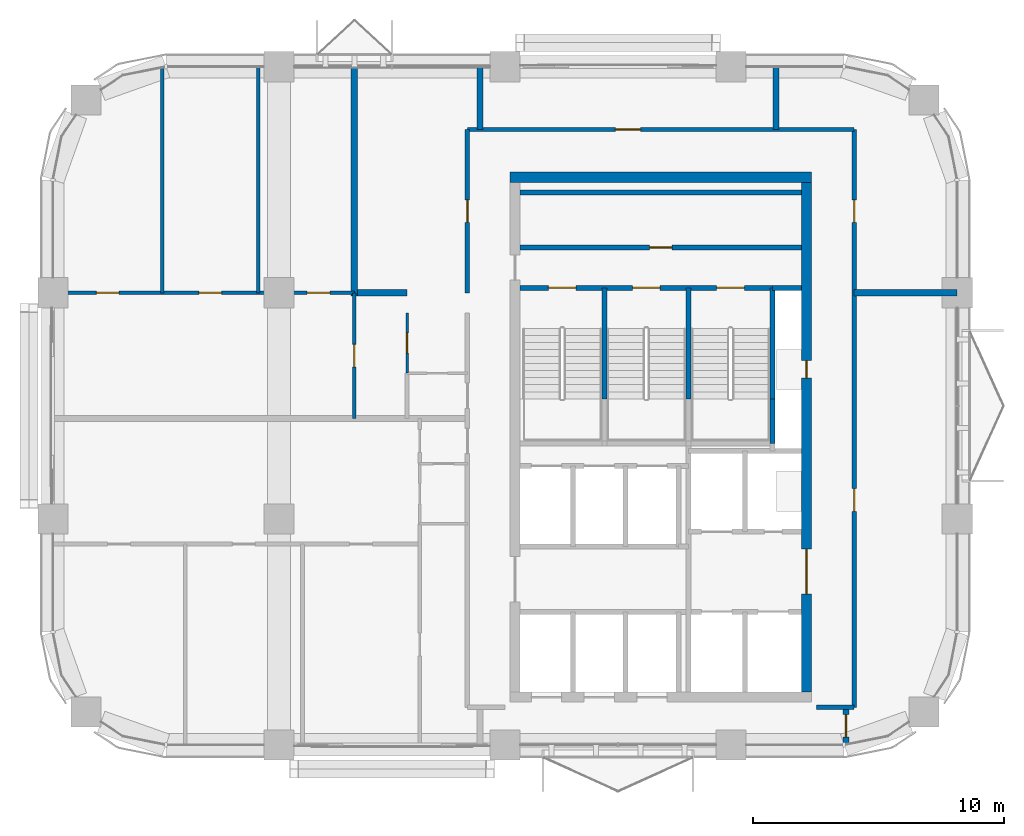
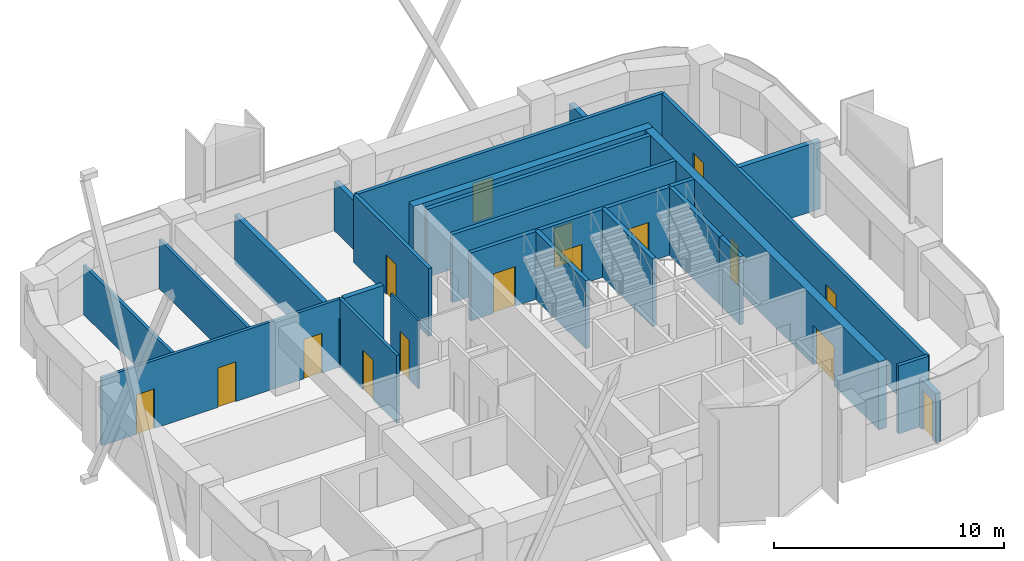
# One storey, part 9 of 11: 25 walls, 16 doors, 16 openings.
"""IFC4 building model written with IfcOpenShell, lengths in metres."""

from ifc_helpers import new_model, si_unit, direction, frame, frame_2d, origin, place, context, subcontext, project, spatial, rectangle, extrude, material, layer, layer_set, type_object, element, fill, save


model = new_model("IFC4")

# Units and contexts
model_context = context("Model", 3, precision=1e-05, world=origin(), true_north=direction((0.0, 1.0)))
body_context = subcontext(model_context, "Body", "Model", "MODEL_VIEW")
ifc_project = project(units=[si_unit("LENGTHUNIT", "METRE"), si_unit("AREAUNIT", "SQUARE_METRE"), si_unit("VOLUMEUNIT", "CUBIC_METRE"), si_unit("PLANEANGLEUNIT", "RADIAN"), si_unit("MASSUNIT", "GRAM", prefix="KILO")], contexts=[model_context])

# Site, building, storey
site_placement = place(None, origin())
site = spatial("IfcSite", under=ifc_project, at=site_placement, CompositionType="ELEMENT")
building_placement = place(site_placement, origin())
building = spatial("IfcBuilding", under=site, at=building_placement, Name="Tessera Arch", CompositionType="ELEMENT")
storey_placement = place(building_placement, frame((0.0, 0.0, 250.10009765625)))
storey = spatial("IfcBuildingStorey", under=building, at=storey_placement, Name="L60", CompositionType="ELEMENT", Elevation=250.10009765625)

# Wall, opening, door
ifc_material_1 = material(Name="Gypsum board on steel stud", Category="steel")
ifc_layer_1 = layer(ifc_material_1, 0.125)
ifc_layer_set_1 = layer_set([ifc_layer_1], Name="Core partition 125 EI 60")
wall_type_1 = type_object("IfcWallType", Name="Core partition 125 EI 60", PredefinedType="PARTITIONING", material=ifc_layer_set_1)
wall_1_placement = place(storey_placement, frame((36.60009765625, 46.800048828125, 0.0), z_axis=(0.0, 0.0, 1.0), x_axis=(1.0, 0.0, 0.0)))
wall_1 = element("IfcWall", 1, at=wall_1_placement, inside=storey, type_object=wall_type_1, Name="L60 C1 partition wall 30", PredefinedType="PARTITIONING", context=body_context, shape_type="SweptSolid", body=[
    extrude(rectangle(XDim=11.199951171875, YDim=0.199951171875, at=frame_2d((5.60009765625, 0.0))), origin(), (0.0, 0.0, 1.0), 3.599853515625),
])
opening_1_placement = place(wall_1_placement, frame((5.14990234375, 0.0, 0.0)))
opening_1 = element("IfcOpeningElement", 2, at=opening_1_placement, cuts=wall_1, Name="Opening L60-C18", PredefinedType="OPENING", context=body_context, shape_type="SweptSolid", body=[
    extrude(rectangle(XDim=0.89990234375, YDim=2.10009765625, at=frame_2d((0.449951171875, 1.050048828125))), frame((0.0, 0.10986328125, 0.0), z_axis=(0.0, -1.0, 0.0), x_axis=(1.0, 0.0, 0.0)), (0.0, 0.0, 1.0), 0.219970703125),
])
ifc_material_2 = material(Name="Steel door leaf", Category="steel")
door_type_1 = type_object("IfcDoorType", Name="Store door FD30S 900 x 2100", OperationType="SINGLE_SWING_LEFT", PredefinedType="DOOR", material=ifc_material_2)
door_1_placement = place(opening_1_placement, origin())
door_1 = element("IfcDoor", 3, at=door_1_placement, inside=storey, type_object=door_type_1, Name="L60 C1 door 18 C18 type D09", OperationType="SINGLE_SWING_RIGHT", OverallHeight=2.10009765625, OverallWidth=0.89990234375, PredefinedType="DOOR", context=body_context, shape_type="SweptSolid", body=[
    extrude(rectangle(XDim=0.89990234375, YDim=2.10009765625, at=frame_2d((0.449951171875, 1.050048828125))), frame((0.0, 0.02490234375, 0.0), z_axis=(0.0, -1.0, 0.0), x_axis=(1.0, 0.0, 0.0)), (0.0, 0.0, 1.0), 0.050048828125),
])
fill(opening_1, door_1)

# Walls
wall_2_placement = place(storey_placement, frame((36.60009765625, 49.0, 0.0), z_axis=(0.0, 0.0, 1.0), x_axis=(1.0, 0.0, 0.0)))
element("IfcWall", 4, at=wall_2_placement, inside=storey, type_object=wall_type_1, Name="L60 C1 partition wall 31", PredefinedType="PARTITIONING", context=body_context, shape_type="SweptSolid", body=[
    extrude(rectangle(XDim=11.199951171875, YDim=0.199951171875, at=frame_2d((5.60009765625, 0.0))), origin(), (0.0, 0.0, 1.0), 3.599853515625),
])
ifc_material_3 = material(Name="Concrete C50/60", Category="concrete")
ifc_layer_2 = layer(ifc_material_3, 0.39990234375)
ifc_layer_set_2 = layer_set([ifc_layer_2], Name="Core shell wall 400 C50-60")
wall_type_2 = type_object("IfcWallType", Name="Core shell wall 400 C50-60", PredefinedType="SHEAR", material=ifc_layer_set_2)
wall_3_placement = place(storey_placement, frame((36.199951171875, 49.60009765625, 0.0), z_axis=(0.0, 0.0, 1.0), x_axis=(1.0, 0.0, 0.0)))
element("IfcWall", 5, at=wall_3_placement, inside=storey, type_object=wall_type_2, Name="L60 C1 core wall N", PredefinedType="SHEAR", context=body_context, shape_type="SweptSolid", body=[
    extrude(rectangle(XDim=12.0, YDim=0.39990234375, at=frame_2d((6.0, 0.0))), origin(), (0.0, 0.0, 1.0), 3.599853515625),
])

# Wall, openings, doors
wall_4_placement = place(storey_placement, frame((48.0, 29.10009765625, 0.0), z_axis=(0.0, 0.0, 1.0), x_axis=(0.0, 1.0, 0.0)))
wall_4 = element("IfcWall", 6, at=wall_4_placement, inside=storey, type_object=wall_type_2, Name="L60 C1 core wall E", PredefinedType="SHEAR", context=body_context, shape_type="SweptSolid", body=[
    extrude(rectangle(XDim=20.2998046875, YDim=0.39990234375, at=frame_2d((10.14990234375, 0.0))), origin(), (0.0, 0.0, 1.0), 3.599853515625),
])
opening_2_placement = place(wall_4_placement, frame((12.5, 0.0, 0.0)))
opening_2 = element("IfcOpeningElement", 7, at=opening_2_placement, cuts=wall_4, Name="Opening L60-C14", PredefinedType="OPENING", context=body_context, shape_type="SweptSolid", body=[
    extrude(rectangle(XDim=0.699951171875, YDim=2.10009765625, at=frame_2d((0.35009765625, 1.050048828125))), frame((0.0, 0.2099609375, 0.0), z_axis=(0.0, -1.0, 0.0), x_axis=(1.0, 0.0, 0.0)), (0.0, 0.0, 1.0), 0.419921875),
])
opening_3_placement = place(wall_4_placement, frame((3.89990234375, 0.0, 0.0)))
opening_3 = element("IfcOpeningElement", 8, at=opening_3_placement, cuts=wall_4, Name="Opening L60-C15", PredefinedType="OPENING", context=body_context, shape_type="SweptSolid", body=[
    extrude(rectangle(XDim=1.800048828125, YDim=2.10009765625, at=frame_2d((0.89990234375, 1.050048828125))), frame((0.0, 0.2099609375, 0.0), z_axis=(0.0, -1.0, 0.0), x_axis=(1.0, 0.0, 0.0)), (0.0, 0.0, 1.0), 0.419921875),
])
ifc_material_4 = material(Name="Glazed steel door leaf", Category="steel")
door_type_2 = type_object("IfcDoorType", Name="Lobby double door FD60 1800 x 2100", OperationType="DOUBLE_DOOR_SINGLE_SWING", PredefinedType="DOOR", material=ifc_material_4)
door_2_placement = place(opening_3_placement, origin())
door_2 = element("IfcDoor", 9, at=door_2_placement, inside=storey, type_object=door_type_2, Name="L60 C1 door 15 C15 type D19", OperationType="DOUBLE_DOOR_SINGLE_SWING", OverallHeight=2.10009765625, OverallWidth=1.800048828125, PredefinedType="DOOR", context=body_context, shape_type="SweptSolid", body=[
    extrude(rectangle(XDim=1.800048828125, YDim=2.10009765625, at=frame_2d((0.89990234375, 1.050048828125))), frame((0.0, 0.02490234375, 0.0), z_axis=(0.0, -1.0, 0.0), x_axis=(1.0, 0.0, 0.0)), (0.0, 0.0, 1.0), 0.050048828125),
])
fill(opening_3, door_2)
ifc_material_5 = material(Name="Steel door leaf", Category="steel")
door_type_3 = type_object("IfcDoorType", Name="Service shaft door FD60 700 x 2100", OperationType="SINGLE_SWING_LEFT", PredefinedType="DOOR", material=ifc_material_5)
door_3_placement = place(opening_2_placement, origin())
door_3 = element("IfcDoor", 10, at=door_3_placement, inside=storey, type_object=door_type_3, Name="L60 C1 door 14 C14 type D07", OperationType="SINGLE_SWING_RIGHT", OverallHeight=2.10009765625, OverallWidth=0.699951171875, PredefinedType="DOOR", context=body_context, shape_type="SweptSolid", body=[
    extrude(rectangle(XDim=0.699951171875, YDim=2.10009765625, at=frame_2d((0.35009765625, 1.050048828125))), frame((0.0, 0.02490234375, 0.0), z_axis=(0.0, -1.0, 0.0), x_axis=(1.0, 0.0, 0.0)), (0.0, 0.0, 1.0), 0.050048828125),
])
fill(opening_2, door_3)

# Wall
ifc_material_6 = material(Name="Gypsum board on deep steel stud with mineral wool", Category="steel")
ifc_layer_3 = layer(ifc_material_6, 0.175048828125)
ifc_layer_set_3 = layer_set([ifc_layer_3], Name="Corridor wall 175 EI 60")
wall_type_3 = type_object("IfcWallType", Name="Corridor wall 175 EI 60", PredefinedType="PARTITIONING", material=ifc_layer_set_3)
wall_5_placement = place(storey_placement, frame((48.39990234375, 28.5, 0.0), z_axis=(0.0, 0.0, 1.0), x_axis=(1.0, 0.0, 0.0)))
element("IfcWall", 11, at=wall_5_placement, inside=storey, type_object=wall_type_3, Name="L60 partition 2", PredefinedType="PARTITIONING", context=body_context, shape_type="SweptSolid", body=[
    extrude(rectangle(XDim=1.5, YDim=0.175048828125, at=frame_2d((0.75, 0.0))), origin(), (0.0, 0.0, 1.0), 3.599853515625),
])

# Wall, opening, door
wall_6_placement = place(storey_placement, frame((34.5, 51.5, 0.0), z_axis=(0.0, 0.0, 1.0), x_axis=(1.0, 0.0, 0.0)))
wall_6 = element("IfcWall", 12, at=wall_6_placement, inside=storey, type_object=wall_type_3, Name="L60 partition 3", PredefinedType="PARTITIONING", context=body_context, shape_type="SweptSolid", body=[
    extrude(rectangle(XDim=15.39990234375, YDim=0.175048828125, at=frame_2d((7.699951171875, 0.0))), origin(), (0.0, 0.0, 1.0), 3.599853515625),
])
opening_4_placement = place(wall_6_placement, frame((5.8916015625, 0.0, 0.0)))
opening_4 = element("IfcOpeningElement", 13, at=opening_4_placement, cuts=wall_6, Name="Opening L60-D019", PredefinedType="OPENING", context=body_context, shape_type="SweptSolid", body=[
    extrude(rectangle(XDim=1.0, YDim=2.10009765625, at=frame_2d((0.5, 1.050048828125))), frame((0.0, 0.097412109375, 0.0), z_axis=(0.0, -1.0, 0.0), x_axis=(1.0, 0.0, 0.0)), (0.0, 0.0, 1.0), 0.195068359375),
])
ifc_material_7 = material(Name="Fire-rated door leaf")
door_type_4 = type_object("IfcDoorType", Name="Entrance door FD30S 1000 x 2100", OperationType="SINGLE_SWING_LEFT", PredefinedType="DOOR", material=ifc_material_7)
door_4_placement = place(opening_4_placement, origin())
door_4 = element("IfcDoor", 14, at=door_4_placement, inside=storey, type_object=door_type_4, Name="L60 door D019 type D03", OperationType="SINGLE_SWING_LEFT", OverallHeight=2.10009765625, OverallWidth=1.0, PredefinedType="DOOR", context=body_context, shape_type="SweptSolid", body=[
    extrude(rectangle(XDim=1.0, YDim=2.10009765625, at=frame_2d((0.5, 1.050048828125))), frame((0.0, 0.02490234375, 0.0), z_axis=(0.0, -1.0, 0.0), x_axis=(1.0, 0.0, 0.0)), (0.0, 0.0, 1.0), 0.050048828125),
])
fill(opening_4, door_4)

wall_7_placement = place(storey_placement, frame((34.5, 45.0, 0.0), z_axis=(0.0, 0.0, 1.0), x_axis=(0.0, 1.0, 0.0)))
wall_7 = element("IfcWall", 15, at=wall_7_placement, inside=storey, type_object=wall_type_3, Name="L60 partition 5", PredefinedType="PARTITIONING", context=body_context, shape_type="SweptSolid", body=[
    extrude(rectangle(XDim=6.5, YDim=0.175048828125, at=frame_2d((3.25, 0.0))), origin(), (0.0, 0.0, 1.0), 3.599853515625),
])
opening_5_placement = place(wall_7_placement, frame((2.800048828125, 0.0, 0.0)))
opening_5 = element("IfcOpeningElement", 16, at=opening_5_placement, cuts=wall_7, Name="Opening L60-D017", PredefinedType="OPENING", context=body_context, shape_type="SweptSolid", body=[
    extrude(rectangle(XDim=0.89990234375, YDim=2.10009765625, at=frame_2d((0.449951171875, 1.050048828125))), frame((0.0, 0.097412109375, 0.0), z_axis=(0.0, -1.0, 0.0), x_axis=(1.0, 0.0, 0.0)), (0.0, 0.0, 1.0), 0.195068359375),
])
ifc_material_8 = material(Name="Timber door leaf", Category="wood")
door_type_5 = type_object("IfcDoorType", Name="Room door 900 x 2100", OperationType="SINGLE_SWING_LEFT", PredefinedType="DOOR", material=ifc_material_8)
door_5_placement = place(opening_5_placement, origin())
door_5 = element("IfcDoor", 17, at=door_5_placement, inside=storey, type_object=door_type_5, Name="L60 door D017 type D01", OperationType="SINGLE_SWING_LEFT", OverallHeight=2.10009765625, OverallWidth=0.89990234375, PredefinedType="DOOR", context=body_context, shape_type="SweptSolid", body=[
    extrude(rectangle(XDim=0.89990234375, YDim=2.10009765625, at=frame_2d((0.449951171875, 1.050048828125))), frame((0.0, 0.02490234375, 0.0), z_axis=(0.0, -1.0, 0.0), x_axis=(1.0, 0.0, 0.0)), (0.0, 0.0, 1.0), 0.050048828125),
])
fill(opening_5, door_5)

# Wall, openings, doors
wall_8_placement = place(storey_placement, frame((49.89990234375, 28.5, 0.0), z_axis=(0.0, 0.0, 1.0), x_axis=(0.0, 1.0, 0.0)))
wall_8 = element("IfcWall", 18, at=wall_8_placement, inside=storey, type_object=wall_type_3, Name="L60 partition 6", PredefinedType="PARTITIONING", context=body_context, shape_type="SweptSolid", body=[
    extrude(rectangle(XDim=23.0, YDim=0.175048828125, at=frame_2d((11.5, 0.0))), origin(), (0.0, 0.0, 1.0), 3.599853515625),
])
opening_6_placement = place(wall_8_placement, frame((7.800048828125, 0.0, 0.0)))
opening_6 = element("IfcOpeningElement", 19, at=opening_6_placement, cuts=wall_8, Name="Opening L60-D009", PredefinedType="OPENING", context=body_context, shape_type="SweptSolid", body=[
    extrude(rectangle(XDim=0.89990234375, YDim=2.10009765625, at=frame_2d((0.449951171875, 1.050048828125))), frame((0.0, 0.097412109375, 0.0), z_axis=(0.0, -1.0, 0.0), x_axis=(1.0, 0.0, 0.0)), (0.0, 0.0, 1.0), 0.195068359375),
])
opening_7_placement = place(wall_8_placement, frame((19.300048828125, 0.0, 0.0)))
opening_7 = element("IfcOpeningElement", 20, at=opening_7_placement, cuts=wall_8, Name="Opening L60-D018", PredefinedType="OPENING", context=body_context, shape_type="SweptSolid", body=[
    extrude(rectangle(XDim=0.89990234375, YDim=2.10009765625, at=frame_2d((0.449951171875, 1.050048828125))), frame((0.0, 0.097412109375, 0.0), z_axis=(0.0, -1.0, 0.0), x_axis=(1.0, 0.0, 0.0)), (0.0, 0.0, 1.0), 0.195068359375),
])
door_6_placement = place(opening_6_placement, origin())
door_6 = element("IfcDoor", 21, at=door_6_placement, inside=storey, type_object=door_type_5, Name="L60 door D009 type D01", OperationType="SINGLE_SWING_RIGHT", OverallHeight=2.10009765625, OverallWidth=0.89990234375, PredefinedType="DOOR", context=body_context, shape_type="SweptSolid", body=[
    extrude(rectangle(XDim=0.89990234375, YDim=2.10009765625, at=frame_2d((0.449951171875, 1.050048828125))), frame((0.0, 0.02490234375, 0.0), z_axis=(0.0, -1.0, 0.0), x_axis=(1.0, 0.0, 0.0)), (0.0, 0.0, 1.0), 0.050048828125),
])
fill(opening_6, door_6)
door_7_placement = place(opening_7_placement, origin())
door_7 = element("IfcDoor", 22, at=door_7_placement, inside=storey, type_object=door_type_5, Name="L60 door D018 type D01", OperationType="SINGLE_SWING_LEFT", OverallHeight=2.10009765625, OverallWidth=0.89990234375, PredefinedType="DOOR", context=body_context, shape_type="SweptSolid", body=[
    extrude(rectangle(XDim=0.89990234375, YDim=2.10009765625, at=frame_2d((0.449951171875, 1.050048828125))), frame((0.0, 0.02490234375, 0.0), z_axis=(0.0, -1.0, 0.0), x_axis=(1.0, 0.0, 0.0)), (0.0, 0.0, 1.0), 0.050048828125),
])
fill(opening_7, door_7)

ifc_material_9 = material(Name="Gypsum board on steel stud", Category="steel")
ifc_layer_4 = layer(ifc_material_9, 0.14990234375)
ifc_layer_set_4 = layer_set([ifc_layer_4], Name="Partition 150")
wall_type_4 = type_object("IfcWallType", Name="Partition 150", PredefinedType="PARTITIONING", material=ifc_layer_set_4)
wall_9_placement = place(storey_placement, frame((18.0, 45.0, 0.0), z_axis=(0.0, 0.0, 1.0), x_axis=(1.0, 0.0, 0.0)))
wall_9 = element("IfcWall", 23, at=wall_9_placement, inside=storey, type_object=wall_type_4, Name="L60 partition 8", PredefinedType="PARTITIONING", context=body_context, shape_type="SweptSolid", body=[
    extrude(rectangle(XDim=12.0, YDim=0.14990234375, at=frame_2d((6.0, 0.0))), origin(), (0.0, 0.0, 1.0), 3.599853515625),
])
opening_8_placement = place(wall_9_placement, frame((10.122802734375, 0.0, 0.0)))
opening_8 = element("IfcOpeningElement", 24, at=opening_8_placement, cuts=wall_9, Name="Opening L60-D014", PredefinedType="OPENING", context=body_context, shape_type="SweptSolid", body=[
    extrude(rectangle(XDim=0.89990234375, YDim=2.10009765625, at=frame_2d((0.449951171875, 1.050048828125))), frame((0.0, 0.0849609375, 0.0), z_axis=(0.0, -1.0, 0.0), x_axis=(1.0, 0.0, 0.0)), (0.0, 0.0, 1.0), 0.169921875),
])
opening_9_placement = place(wall_9_placement, frame((5.813720703125, 0.0, 0.0)))
opening_9 = element("IfcOpeningElement", 25, at=opening_9_placement, cuts=wall_9, Name="Opening L60-D015", PredefinedType="OPENING", context=body_context, shape_type="SweptSolid", body=[
    extrude(rectangle(XDim=0.89990234375, YDim=2.10009765625, at=frame_2d((0.449951171875, 1.050048828125))), frame((0.0, 0.0849609375, 0.0), z_axis=(0.0, -1.0, 0.0), x_axis=(1.0, 0.0, 0.0)), (0.0, 0.0, 1.0), 0.169921875),
])
opening_10_placement = place(wall_9_placement, frame((1.725830078125, 0.0, 0.0)))
opening_10 = element("IfcOpeningElement", 26, at=opening_10_placement, cuts=wall_9, Name="Opening L60-D016", PredefinedType="OPENING", context=body_context, shape_type="SweptSolid", body=[
    extrude(rectangle(XDim=0.89990234375, YDim=2.10009765625, at=frame_2d((0.449951171875, 1.050048828125))), frame((0.0, 0.0849609375, 0.0), z_axis=(0.0, -1.0, 0.0), x_axis=(1.0, 0.0, 0.0)), (0.0, 0.0, 1.0), 0.169921875),
])
door_8_placement = place(opening_8_placement, origin())
door_8 = element("IfcDoor", 27, at=door_8_placement, inside=storey, type_object=door_type_5, Name="L60 door D014 type D01", OperationType="SINGLE_SWING_RIGHT", OverallHeight=2.10009765625, OverallWidth=0.89990234375, PredefinedType="DOOR", context=body_context, shape_type="SweptSolid", body=[
    extrude(rectangle(XDim=0.89990234375, YDim=2.10009765625, at=frame_2d((0.449951171875, 1.050048828125))), frame((0.0, 0.02490234375, 0.0), z_axis=(0.0, -1.0, 0.0), x_axis=(1.0, 0.0, 0.0)), (0.0, 0.0, 1.0), 0.050048828125),
])
fill(opening_8, door_8)
door_9_placement = place(opening_9_placement, origin())
door_9 = element("IfcDoor", 28, at=door_9_placement, inside=storey, type_object=door_type_5, Name="L60 door D015 type D01", OperationType="SINGLE_SWING_RIGHT", OverallHeight=2.10009765625, OverallWidth=0.89990234375, PredefinedType="DOOR", context=body_context, shape_type="SweptSolid", body=[
    extrude(rectangle(XDim=0.89990234375, YDim=2.10009765625, at=frame_2d((0.449951171875, 1.050048828125))), frame((0.0, 0.02490234375, 0.0), z_axis=(0.0, -1.0, 0.0), x_axis=(1.0, 0.0, 0.0)), (0.0, 0.0, 1.0), 0.050048828125),
])
fill(opening_9, door_9)
door_10_placement = place(opening_10_placement, origin())
door_10 = element("IfcDoor", 29, at=door_10_placement, inside=storey, type_object=door_type_5, Name="L60 door D016 type D01", OperationType="SINGLE_SWING_RIGHT", OverallHeight=2.10009765625, OverallWidth=0.89990234375, PredefinedType="DOOR", context=body_context, shape_type="SweptSolid", body=[
    extrude(rectangle(XDim=0.89990234375, YDim=2.10009765625, at=frame_2d((0.449951171875, 1.050048828125))), frame((0.0, 0.02490234375, 0.0), z_axis=(0.0, -1.0, 0.0), x_axis=(1.0, 0.0, 0.0)), (0.0, 0.0, 1.0), 0.050048828125),
])
fill(opening_10, door_10)

# Walls
wall_10_placement = place(storey_placement, frame((22.35205078125, 45.0, 0.0), z_axis=(0.0, 0.0, 1.0), x_axis=(0.0, 1.0, 0.0)))
element("IfcWall", 30, at=wall_10_placement, inside=storey, type_object=wall_type_4, Name="L60 partition 9", PredefinedType="PARTITIONING", context=body_context, shape_type="SweptSolid", body=[
    extrude(rectangle(XDim=8.970458984375, YDim=0.14990234375, at=frame_2d((4.4853515625, 0.0))), origin(), (0.0, 0.0, 1.0), 2.599853515625),
])
wall_11_placement = place(storey_placement, frame((26.176025390625, 45.0, 0.0), z_axis=(0.0, 0.0, 1.0), x_axis=(0.0, 1.0, 0.0)))
element("IfcWall", 31, at=wall_11_placement, inside=storey, type_object=wall_type_4, Name="L60 partition 11", PredefinedType="PARTITIONING", context=body_context, shape_type="SweptSolid", body=[
    extrude(rectangle(XDim=9.0, YDim=0.14990234375, at=frame_2d((4.5, 0.0))), origin(), (0.0, 0.0, 1.0), 2.599853515625),
])

# Wall, opening, door
wall_12_placement = place(storey_placement, frame((30.0, 40.0, 0.0), z_axis=(0.0, 0.0, 1.0), x_axis=(0.0, 1.0, 0.0)))
wall_12 = element("IfcWall", 32, at=wall_12_placement, inside=storey, type_object=wall_type_4, Name="L60 partition 13", PredefinedType="PARTITIONING", context=body_context, shape_type="SweptSolid", body=[
    extrude(rectangle(XDim=5.0, YDim=0.14990234375, at=frame_2d((2.5, 0.0))), origin(), (0.0, 0.0, 1.0), 3.599853515625),
])
opening_11_placement = place(wall_12_placement, frame((2.050048828125, 0.0, 0.0)))
opening_11 = element("IfcOpeningElement", 33, at=opening_11_placement, cuts=wall_12, Name="Opening L60-D013", PredefinedType="OPENING", context=body_context, shape_type="SweptSolid", body=[
    extrude(rectangle(XDim=0.89990234375, YDim=2.10009765625, at=frame_2d((0.449951171875, 1.050048828125))), frame((0.0, 0.0849609375, 0.0), z_axis=(0.0, -1.0, 0.0), x_axis=(1.0, 0.0, 0.0)), (0.0, 0.0, 1.0), 0.169921875),
])
door_11_placement = place(opening_11_placement, origin())
door_11 = element("IfcDoor", 34, at=door_11_placement, inside=storey, type_object=door_type_5, Name="L60 door D013 type D01", OperationType="SINGLE_SWING_LEFT", OverallHeight=2.10009765625, OverallWidth=0.89990234375, PredefinedType="DOOR", context=body_context, shape_type="SweptSolid", body=[
    extrude(rectangle(XDim=0.89990234375, YDim=2.10009765625, at=frame_2d((0.449951171875, 1.050048828125))), frame((0.0, 0.02490234375, 0.0), z_axis=(0.0, -1.0, 0.0), x_axis=(1.0, 0.0, 0.0)), (0.0, 0.0, 1.0), 0.050048828125),
])
fill(opening_11, door_11)

# Walls
ifc_material_10 = material(Name="Double gypsum board on twin steel stud with acoustic mineral wool", Category="steel")
ifc_layer_5 = layer(ifc_material_10, 0.25)
ifc_layer_set_5 = layer_set([ifc_layer_5], Name="Party wall 250 EI 60")
wall_type_5 = type_object("IfcWallType", Name="Party wall 250 EI 60", PredefinedType="PARTITIONING", material=ifc_layer_set_5)
wall_13_placement = place(storey_placement, frame((30.125, 45.0, 0.0), z_axis=(0.0, 0.0, 1.0), x_axis=(1.0, 0.0, 0.0)))
element("IfcWall", 35, at=wall_13_placement, inside=storey, type_object=wall_type_5, Name="L60 partition 18", PredefinedType="PARTITIONING", context=body_context, shape_type="SweptSolid", body=[
    extrude(rectangle(XDim=1.97509765625, YDim=0.25, at=frame_2d((0.987548828125, 0.0))), origin(), (0.0, 0.0, 1.0), 3.599853515625),
])
wall_14_placement = place(storey_placement, frame((49.89990234375, 45.0, 0.0), z_axis=(0.0, 0.0, 1.0), x_axis=(1.0, 0.0, 0.0)))
element("IfcWall", 36, at=wall_14_placement, inside=storey, type_object=wall_type_5, Name="L60 partition 19", PredefinedType="PARTITIONING", context=body_context, shape_type="SweptSolid", body=[
    extrude(rectangle(XDim=4.10009765625, YDim=0.25, at=frame_2d((2.050048828125, 0.0))), origin(), (0.0, 0.0, 1.0), 3.599853515625),
])
wall_15_placement = place(storey_placement, frame((30.0, 44.875, 0.0), z_axis=(0.0, 0.0, 1.0), x_axis=(0.0, 1.0, 0.0)))
element("IfcWall", 37, at=wall_15_placement, inside=storey, type_object=wall_type_5, Name="L60 partition 20", PredefinedType="PARTITIONING", context=body_context, shape_type="SweptSolid", body=[
    extrude(rectangle(XDim=9.125, YDim=0.25, at=frame_2d((4.5625, 0.0))), origin(), (0.0, 0.0, 1.0), 2.599853515625),
])
for number, where, z_axis, x_axis, name in (
    (38, (35.0, 51.5, 0.0), (0.0, 0.0, 1.0), (0.0, 1.0, 0.0), "L60 partition 22"),
    (39, (46.782958984375, 51.5, 0.0), (0.0, 0.0, 1.0), (0.0, 1.0, 0.0), "L60 partition 23"),
):
    element("IfcWall", number, at=place(storey_placement, frame(where, z_axis=z_axis, x_axis=x_axis)), inside=storey, type_object=wall_type_5, Name=name, PredefinedType="PARTITIONING", context=body_context, shape_type="SweptSolid", body=[
        extrude(rectangle(XDim=2.5, YDim=0.25, at=frame_2d((1.25, 0.0))), origin(), (0.0, 0.0, 1.0), 2.599853515625),
    ])

# Wall, opening, door
wall_16_placement = place(storey_placement, frame((49.574951171875, 27.014892578125, 0.0), z_axis=(0.0, 0.0, 1.0), x_axis=(0.0, 1.0, 0.0)))
wall_16 = element("IfcWall", 40, at=wall_16_placement, inside=storey, type_object=wall_type_5, Name="L60 partition 24", PredefinedType="PARTITIONING", context=body_context, shape_type="SweptSolid", body=[
    extrude(rectangle(XDim=1.485107421875, YDim=0.25, at=frame_2d((0.74267578125, 0.0))), origin(), (0.0, 0.0, 1.0), 2.599853515625),
])
opening_12_placement = place(wall_16_placement, frame((0.29248046875, 0.0, 0.0)))
opening_12 = element("IfcOpeningElement", 41, at=opening_12_placement, cuts=wall_16, Name="Opening L60-D020", PredefinedType="OPENING", context=body_context, shape_type="SweptSolid", body=[
    extrude(rectangle(XDim=0.89990234375, YDim=2.10009765625, at=frame_2d((0.449951171875, 1.050048828125))), frame((0.0, 0.135009765625, 0.0), z_axis=(0.0, -1.0, 0.0), x_axis=(1.0, 0.0, 0.0)), (0.0, 0.0, 1.0), 0.27001953125),
])
door_12_placement = place(opening_12_placement, origin())
door_12 = element("IfcDoor", 42, at=door_12_placement, inside=storey, type_object=door_type_5, Name="L60 door D020 type D01", OperationType="SINGLE_SWING_RIGHT", OverallHeight=2.10009765625, OverallWidth=0.89990234375, PredefinedType="DOOR", context=body_context, shape_type="SweptSolid", body=[
    extrude(rectangle(XDim=0.89990234375, YDim=2.10009765625, at=frame_2d((0.449951171875, 1.050048828125))), frame((0.0, 0.02490234375, 0.0), z_axis=(0.0, -1.0, 0.0), x_axis=(1.0, 0.0, 0.0)), (0.0, 0.0, 1.0), 0.050048828125),
])
fill(opening_12, door_12)

# Walls
ifc_material_11 = material(Name="Concrete C40/50", Category="concrete")
ifc_layer_6 = layer(ifc_material_11, 0.199951171875)
ifc_layer_set_6 = layer_set([ifc_layer_6], Name="Shaft wall 200 EI 120")
wall_type_6 = type_object("IfcWallType", Name="Shaft wall 200 EI 120", PredefinedType="SOLIDWALL", material=ifc_layer_set_6)
wall_17_placement = place(storey_placement, frame((46.64990234375, 45.199951171875, 0.0), z_axis=(0.0, 0.0, 1.0), x_axis=(1.0, 0.0, 0.0)))
element("IfcWall", 43, at=wall_17_placement, inside=storey, type_object=wall_type_6, Name="L60 C1 shaft wall 28", PredefinedType="SOLIDWALL", context=body_context, shape_type="SweptSolid", body=[
    extrude(rectangle(XDim=1.150146484375, YDim=0.199951171875, at=frame_2d((0.5751953125, 0.0))), origin(), (0.0, 0.0, 1.0), 3.599853515625),
])
ifc_material_12 = material(Name="Concrete C40/50", Category="concrete")
ifc_layer_7 = layer(ifc_material_12, 0.199951171875)
ifc_layer_set_7 = layer_set([ifc_layer_7], Name="Stair well wall 200 REI 180")
wall_type_7 = type_object("IfcWallType", Name="Stair well wall 200 REI 180", PredefinedType="SOLIDWALL", material=ifc_layer_set_7)
for number, where, z_axis, x_axis, name in (
    (44, (39.949951171875, 40.780029296875, 0.0), (0.0, 0.0, 1.0), (0.0, 1.0, 0.0), "L60 C1 shaft wall 4"),
    (45, (43.300048828125, 40.780029296875, 0.0), (0.0, 0.0, 1.0), (0.0, 1.0, 0.0), "L60 C1 shaft wall 11"),
):
    element("IfcWall", number, at=place(storey_placement, frame(where, z_axis=z_axis, x_axis=x_axis)), inside=storey, type_object=wall_type_7, Name=name, PredefinedType="SOLIDWALL", context=body_context, shape_type="SweptSolid", body=[
        extrude(rectangle(XDim=4.419921875, YDim=0.199951171875, at=frame_2d((2.2099609375, 0.0))), origin(), (0.0, 0.0, 1.0), 3.599853515625),
    ])
wall_18_placement = place(storey_placement, frame((46.64990234375, 39.0, 0.0), z_axis=(0.0, 0.0, 1.0), x_axis=(0.0, 1.0, 0.0)))
element("IfcWall", 46, at=wall_18_placement, inside=storey, type_object=wall_type_7, Name="L60 C1 shaft wall 15", PredefinedType="SOLIDWALL", context=body_context, shape_type="SweptSolid", body=[
    extrude(rectangle(XDim=1.780029296875, YDim=0.199951171875, at=frame_2d((0.89013671875, 0.0))), origin(), (0.0, 0.0, 1.0), 3.599853515625),
])
wall_19_placement = place(storey_placement, frame((46.64990234375, 40.780029296875, 0.0), z_axis=(0.0, 0.0, 1.0), x_axis=(0.0, 1.0, 0.0)))
element("IfcWall", 47, at=wall_19_placement, inside=storey, type_object=wall_type_7, Name="L60 C1 shaft wall 16", PredefinedType="SOLIDWALL", context=body_context, shape_type="SweptSolid", body=[
    extrude(rectangle(XDim=4.419921875, YDim=0.199951171875, at=frame_2d((2.2099609375, 0.0))), origin(), (0.0, 0.0, 1.0), 3.599853515625),
])

# Wall, openings, doors
wall_20_placement = place(storey_placement, frame((36.60009765625, 45.199951171875, 0.0), z_axis=(0.0, 0.0, 1.0), x_axis=(1.0, 0.0, 0.0)))
wall_20 = element("IfcWall", 48, at=wall_20_placement, inside=storey, type_object=wall_type_7, Name="L60 C1 shaft wall 29", PredefinedType="SOLIDWALL", context=body_context, shape_type="SweptSolid", body=[
    extrude(rectangle(XDim=10.0498046875, YDim=0.199951171875, at=frame_2d((5.02490234375, 0.0))), origin(), (0.0, 0.0, 1.0), 3.599853515625),
])
opening_13_placement = place(wall_20_placement, frame((1.125, 0.0, 0.0)))
opening_13 = element("IfcOpeningElement", 49, at=opening_13_placement, cuts=wall_20, Name="Opening L60-C11", PredefinedType="OPENING", context=body_context, shape_type="SweptSolid", body=[
    extrude(rectangle(XDim=1.10009765625, YDim=2.10009765625, at=frame_2d((0.550048828125, 1.050048828125))), frame((0.0, 0.10986328125, 0.0), z_axis=(0.0, -1.0, 0.0), x_axis=(1.0, 0.0, 0.0)), (0.0, 0.0, 1.0), 0.219970703125),
])
opening_14_placement = place(wall_20_placement, frame((4.47509765625, 0.0, 0.0)))
opening_14 = element("IfcOpeningElement", 50, at=opening_14_placement, cuts=wall_20, Name="Opening L60-C12", PredefinedType="OPENING", context=body_context, shape_type="SweptSolid", body=[
    extrude(rectangle(XDim=1.10009765625, YDim=2.10009765625, at=frame_2d((0.550048828125, 1.050048828125))), frame((0.0, 0.10986328125, 0.0), z_axis=(0.0, -1.0, 0.0), x_axis=(1.0, 0.0, 0.0)), (0.0, 0.0, 1.0), 0.219970703125),
])
opening_15_placement = place(wall_20_placement, frame((7.824951171875, 0.0, 0.0)))
opening_15 = element("IfcOpeningElement", 51, at=opening_15_placement, cuts=wall_20, Name="Opening L60-C13", PredefinedType="OPENING", context=body_context, shape_type="SweptSolid", body=[
    extrude(rectangle(XDim=1.10009765625, YDim=2.10009765625, at=frame_2d((0.550048828125, 1.050048828125))), frame((0.0, 0.10986328125, 0.0), z_axis=(0.0, -1.0, 0.0), x_axis=(1.0, 0.0, 0.0)), (0.0, 0.0, 1.0), 0.219970703125),
])
ifc_material_13 = material(Name="Steel door leaf", Category="steel")
door_type_6 = type_object("IfcDoorType", Name="Stair door FD60 1100 x 2100", OperationType="SINGLE_SWING_LEFT", PredefinedType="DOOR", material=ifc_material_13)
door_13_placement = place(opening_13_placement, origin())
door_13 = element("IfcDoor", 52, at=door_13_placement, inside=storey, type_object=door_type_6, Name="L60 C1 door 11 C11 type D05", OperationType="SINGLE_SWING_LEFT", OverallHeight=2.10009765625, OverallWidth=1.10009765625, PredefinedType="DOOR", context=body_context, shape_type="SweptSolid", body=[
    extrude(rectangle(XDim=1.10009765625, YDim=2.10009765625, at=frame_2d((0.550048828125, 1.050048828125))), frame((0.0, 0.02490234375, 0.0), z_axis=(0.0, -1.0, 0.0), x_axis=(1.0, 0.0, 0.0)), (0.0, 0.0, 1.0), 0.050048828125),
])
fill(opening_13, door_13)
door_14_placement = place(opening_14_placement, origin())
door_14 = element("IfcDoor", 53, at=door_14_placement, inside=storey, type_object=door_type_6, Name="L60 C1 door 12 C12 type D05", OperationType="SINGLE_SWING_RIGHT", OverallHeight=2.10009765625, OverallWidth=1.10009765625, PredefinedType="DOOR", context=body_context, shape_type="SweptSolid", body=[
    extrude(rectangle(XDim=1.10009765625, YDim=2.10009765625, at=frame_2d((0.550048828125, 1.050048828125))), frame((0.0, 0.02490234375, 0.0), z_axis=(0.0, -1.0, 0.0), x_axis=(1.0, 0.0, 0.0)), (0.0, 0.0, 1.0), 0.050048828125),
])
fill(opening_14, door_14)
door_15_placement = place(opening_15_placement, origin())
door_15 = element("IfcDoor", 54, at=door_15_placement, inside=storey, type_object=door_type_6, Name="L60 C1 door 13 C13 type D05", OperationType="SINGLE_SWING_RIGHT", OverallHeight=2.10009765625, OverallWidth=1.10009765625, PredefinedType="DOOR", context=body_context, shape_type="SweptSolid", body=[
    extrude(rectangle(XDim=1.10009765625, YDim=2.10009765625, at=frame_2d((0.550048828125, 1.050048828125))), frame((0.0, 0.02490234375, 0.0), z_axis=(0.0, -1.0, 0.0), x_axis=(1.0, 0.0, 0.0)), (0.0, 0.0, 1.0), 0.050048828125),
])
fill(opening_15, door_15)

# Wall, opening, door
ifc_material_14 = material(Name="Moisture-resistant board on pre-plumbed steel stud", Category="steel")
ifc_layer_8 = layer(ifc_material_14, 0.10009765625)
ifc_layer_set_8 = layer_set([ifc_layer_8], Name="Wet wall 100")
wall_type_8 = type_object("IfcWallType", Name="Wet wall 100", PredefinedType="PARTITIONING", material=ifc_layer_set_8)
wall_21_placement = place(storey_placement, frame((32.10009765625, 41.800048828125, 0.0), z_axis=(0.0, 0.0, 1.0), x_axis=(0.0, 1.0, 0.0)))
wall_21 = element("IfcWall", 55, at=wall_21_placement, inside=storey, type_object=wall_type_8, Name="L60 partition 28", PredefinedType="PARTITIONING", context=body_context, shape_type="SweptSolid", body=[
    extrude(rectangle(XDim=2.39990234375, YDim=0.10009765625, at=frame_2d((1.199951171875, 0.0))), origin(), (0.0, 0.0, 1.0), 3.599853515625),
])
opening_16_placement = place(wall_21_placement, frame((0.800048828125, 0.0, 0.0)))
opening_16 = element("IfcOpeningElement", 56, at=opening_16_placement, cuts=wall_21, Name="Opening L60-D012", PredefinedType="OPENING", context=body_context, shape_type="SweptSolid", body=[
    extrude(rectangle(XDim=0.800048828125, YDim=2.10009765625, at=frame_2d((0.39990234375, 1.050048828125))), frame((0.0, 0.06005859375, 0.0), z_axis=(0.0, -1.0, 0.0), x_axis=(1.0, 0.0, 0.0)), (0.0, 0.0, 1.0), 0.1201171875),
])
ifc_material_15 = material(Name="Timber door leaf", Category="wood")
door_type_7 = type_object("IfcDoorType", Name="En-suite door 800 x 2100", OperationType="SINGLE_SWING_LEFT", PredefinedType="DOOR", material=ifc_material_15)
door_16_placement = place(opening_16_placement, origin())
door_16 = element("IfcDoor", 57, at=door_16_placement, inside=storey, type_object=door_type_7, Name="L60 door D012 type D02", OperationType="SINGLE_SWING_RIGHT", OverallHeight=2.10009765625, OverallWidth=0.800048828125, PredefinedType="DOOR", context=body_context, shape_type="SweptSolid", body=[
    extrude(rectangle(XDim=0.800048828125, YDim=2.10009765625, at=frame_2d((0.39990234375, 1.050048828125))), frame((0.0, 0.02490234375, 0.0), z_axis=(0.0, -1.0, 0.0), x_axis=(1.0, 0.0, 0.0)), (0.0, 0.0, 1.0), 0.050048828125),
])
fill(opening_16, door_16)

save(model, "model.ifc")
